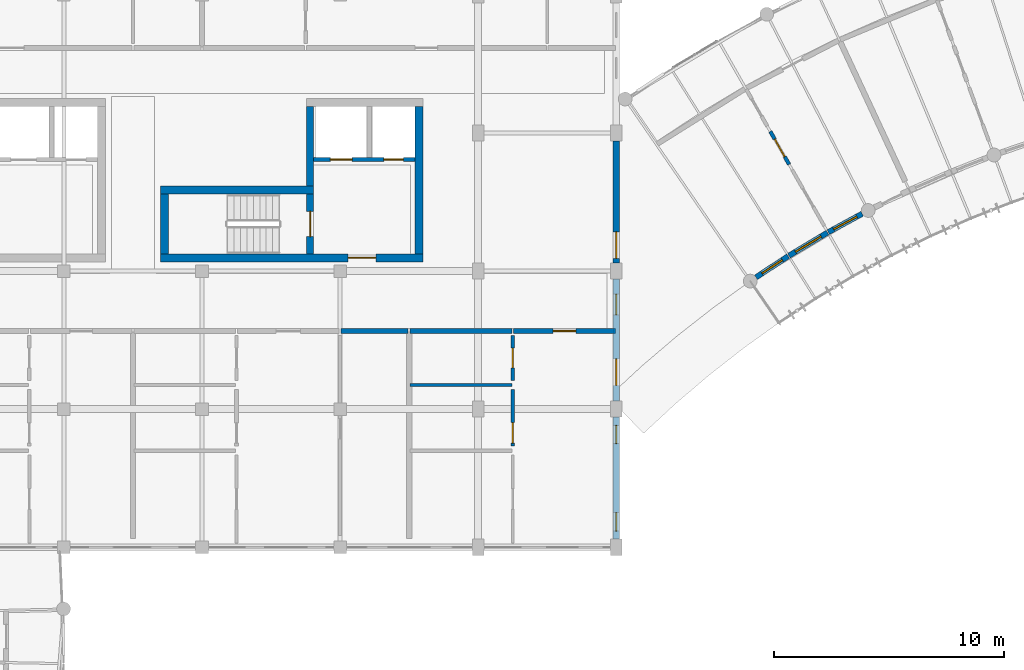
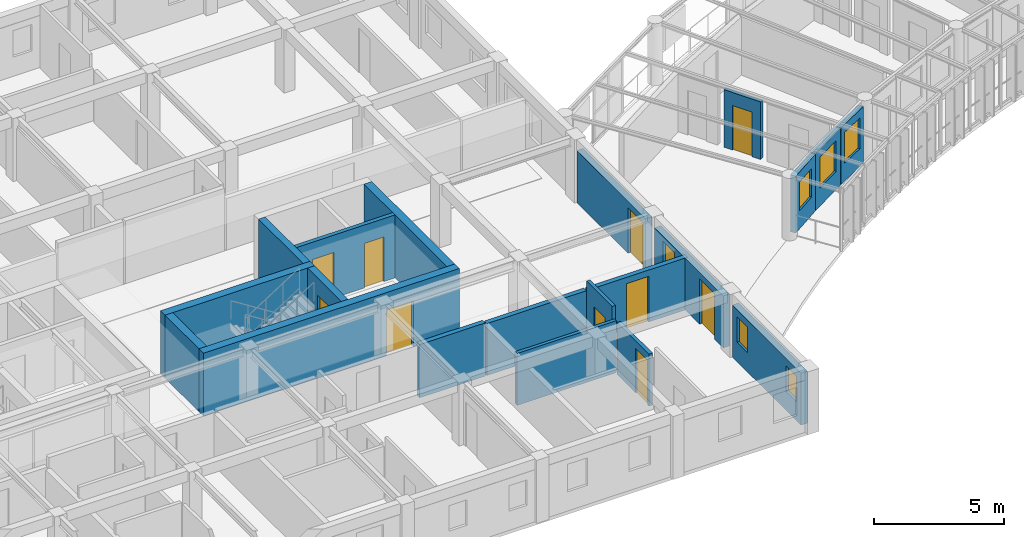
# One storey, part 71 of 101: 20 walls, 10 doors, 6 windows, 16 openings.
"""IFC4 building model written with IfcOpenShell, lengths in metres."""

import ifcopenshell
import ifcopenshell.guid

model = None  # the IFC model being written
_history = None  # IfcOwnerHistory: only IFC2X3 demands one
_inside = {}  # id of a spatial element -> (the spatial element, [elements in it])
_under = {}  # id of a project, library or spatial element -> (it, [spatial elements below it])
_declared = {}  # id of a project -> (the project, [libraries it declares])
_typed = {}  # id of a type object -> (the type object, [elements of that type])
_made_of = {}  # id of a material, layer set ... -> (it, [elements and type objects made of it])


def new_model(schema):
    """Start an empty IFC model of exactly this schema.

    Asked for "IFC4X3", IfcOpenShell would pick the latest addendum, in which some entities
    have other attributes; the version numbers below select the first issue.
    IFC2X3 requires an IfcOwnerHistory on every rooted entity: one is made here for all.
    """
    global model, _history
    if schema == "IFC4X3":
        model = ifcopenshell.file(schema_version=(4, 3, 0, 0))
    else:
        model = ifcopenshell.file(schema=schema)
    _inside.clear()
    _under.clear()
    _declared.clear()
    _typed.clear()
    _made_of.clear()
    _history = None
    if model.schema == "IFC2X3":
        org = make("IfcOrganization", Name="unknown")
        user = make(
            "IfcPersonAndOrganization",
            ThePerson=make("IfcPerson", FamilyName="unknown"),
            TheOrganization=org,
        )
        app = make(
            "IfcApplication",
            ApplicationDeveloper=org,
            Version="unknown",
            ApplicationFullName="unknown",
            ApplicationIdentifier="unknown",
        )
        _history = make(
            "IfcOwnerHistory",
            OwningUser=user,
            OwningApplication=app,
            ChangeAction="ADDED",
            CreationDate=0,
        )
    return model


def make(cls, **values):
    """One entity of the class cls with the attributes given. An attribute that is None is left unset."""
    return model.create_entity(
        cls, **{name: value for name, value in values.items() if value is not None}
    )


def rooted(cls, **values):
    """An entity with a GlobalId (a new one), such as an element, a storey or a relation."""
    return make(cls, GlobalId=ifcopenshell.guid.new(), OwnerHistory=_history, **values)


def si_unit(unit_type, name, prefix=None):
    """IfcSIUnit, for example si_unit("LENGTHUNIT", "METRE", prefix="MILLI")."""
    return make("IfcSIUnit", UnitType=unit_type, Prefix=prefix, Name=name)


def assignment(units):
    """IfcUnitAssignment: the units of a project."""
    return None if units is None else make("IfcUnitAssignment", Units=units)


def point(xyz):
    """IfcCartesianPoint."""
    return None if xyz is None else make("IfcCartesianPoint", Coordinates=xyz)


def direction(xyz):
    """IfcDirection."""
    return None if xyz is None else make("IfcDirection", DirectionRatios=xyz)


def frame(location, z_axis=None, x_axis=None):
    """IfcAxis2Placement3D, a coordinate frame: its origin and axes. An axis left out is left unset."""
    return make(
        "IfcAxis2Placement3D",
        Location=point(location),
        Axis=direction(z_axis),
        RefDirection=direction(x_axis),
    )


def frame_2d(location, x_axis=None):
    """IfcAxis2Placement2D, a coordinate frame in the plane: its origin and x axis."""
    return make(
        "IfcAxis2Placement2D", Location=point(location), RefDirection=direction(x_axis)
    )


def origin():
    """The frame at (0, 0, 0) with its axes left unset."""
    return frame((0.0, 0.0, 0.0))


def place(relative_to, where):
    """IfcLocalPlacement: puts the frame where relative to a parent placement (None: the world)."""
    return make(
        "IfcLocalPlacement", PlacementRelTo=relative_to, RelativePlacement=where
    )


def context(
    kind, dimensions, precision=None, world=None, true_north=None, identifier=None
):
    """IfcGeometricRepresentationContext, for example the 3D "Model" context."""
    return make(
        "IfcGeometricRepresentationContext",
        ContextIdentifier=identifier,
        ContextType=kind,
        CoordinateSpaceDimension=dimensions,
        Precision=precision,
        WorldCoordinateSystem=world,
        TrueNorth=true_north,
    )


def subcontext(parent, identifier, kind, view, scale=None):
    """IfcGeometricRepresentationSubContext, for example "Body" below "Model"."""
    return make(
        "IfcGeometricRepresentationSubContext",
        ContextIdentifier=identifier,
        ContextType=kind,
        ParentContext=parent,
        TargetScale=scale,
        TargetView=view,
    )


def project(units=None, contexts=None):
    """IfcProject with its units and contexts."""
    return rooted(
        "IfcProject",
        Name="project",
        RepresentationContexts=contexts,
        UnitsInContext=assignment(units),
    )


def spatial(cls, under=None, at=None, **own):
    """A site, building, storey or space (cls), placed at a placement, below another one or the project."""
    s = rooted(cls, ObjectPlacement=at, **own)
    if under is not None:
        _under.setdefault(under.id(), (under, []))[1].append(s)
    return s


def profile(cls, at=None, kind="AREA", **sizes):
    """A parametric profile (cls). Its sizes go by their IFC names, for example OverallWidth=200.0."""
    return make(cls, ProfileType=kind, Position=at, **sizes)


def rectangle(**sizes):
    """IfcRectangleProfileDef."""
    return profile("IfcRectangleProfileDef", **sizes)


def extrude(swept, where, along, depth):
    """IfcExtrudedAreaSolid: the profile swept, set in the frame where, extruded along a direction by depth."""
    return make(
        "IfcExtrudedAreaSolid",
        SweptArea=swept,
        Position=where,
        ExtrudedDirection=direction(along),
        Depth=depth,
    )


def shape(context_of_items, identifier, shape_type, items):
    """IfcShapeRepresentation: the items that make up one representation, for example the "Body"."""
    return make(
        "IfcShapeRepresentation",
        ContextOfItems=context_of_items,
        RepresentationIdentifier=identifier,
        RepresentationType=shape_type,
        Items=items,
    )


def material(Name=None, Category=None):
    """IfcMaterial."""
    return make("IfcMaterial", Name=Name, Category=Category)


def layer(
    of_material, thickness, ventilated=None, Name=None, Category=None, Priority=None
):
    """IfcMaterialLayer: one layer of a wall or slab, of a material (None: an air gap)."""
    return make(
        "IfcMaterialLayer",
        Material=of_material,
        LayerThickness=thickness,
        IsVentilated=ventilated,
        Name=Name,
        Category=Category,
        Priority=Priority,
    )


def layer_set(layers, Name=None):
    """IfcMaterialLayerSet."""
    return make("IfcMaterialLayerSet", MaterialLayers=layers, LayerSetName=Name)


def made_of(thing, what):
    """Note that an element or type object is made of a material, layer set ...; save() writes the relation."""
    if what is not None:
        _made_of.setdefault(what.id(), (what, []))[1].append(thing)
    return thing


def type_object(cls, material=None, **own):
    """A type object (cls), such as IfcWallType, which elements share."""
    return made_of(rooted(cls, **own), material)


def element(
    cls,
    number,
    at=None,
    inside=None,
    cuts=None,
    type_object=None,
    material=None,
    context=None,
    identifier="Body",
    shape_type=None,
    held_by="IfcProductDefinitionShape",
    body=None,
    shapes=None,
    **own,
):
    """One element of the class cls, such as IfcWall. Its Tag is "e" and its number.

    at: its placement. inside: the storey or other place that contains it. cuts: it is an
    opening in that element (IfcRelVoidsElement). A single representation is given by context,
    identifier, shape_type and body (its items); several are given by shapes. held_by: the class
    of the entity that holds the representations. save() writes the other relations.
    """
    e = rooted(cls, Tag="e%d" % number, ObjectPlacement=at, **own)
    if body is not None:
        shapes = [shape(context, identifier, shape_type, body)]
    if shapes is not None:
        e.Representation = make(held_by, Representations=shapes)
    if inside is not None:
        _inside.setdefault(inside.id(), (inside, []))[1].append(e)
    if cuts is not None:
        rooted(
            "IfcRelVoidsElement", RelatingBuildingElement=cuts, RelatedOpeningElement=e
        )
    if type_object is not None:
        _typed.setdefault(type_object.id(), (type_object, []))[1].append(e)
    return made_of(e, material)


def fill(opening, filler):
    """IfcRelFillsElement: the door or window that sits in an opening."""
    return rooted(
        "IfcRelFillsElement",
        RelatingOpeningElement=opening,
        RelatedBuildingElement=filler,
    )


def aggregate(whole, parts):
    """IfcRelAggregates: a whole, such as a stair, and the parts it consists of."""
    return rooted("IfcRelAggregates", RelatingObject=whole, RelatedObjects=parts)


def save(model, path):
    """Write the relations noted so far, then the file.

    IfcRelAggregates (storeys below a building ...), IfcRelContainedInSpatialStructure (elements
    in a storey), IfcRelDefinesByType, IfcRelAssociatesMaterial and IfcRelDeclares: one each for
    every whole, place, type object, material and project.
    """
    for whole, parts in _under.values():
        aggregate(whole, parts)
    for where, things in _inside.values():
        rooted(
            "IfcRelContainedInSpatialStructure",
            RelatedElements=things,
            RelatingStructure=where,
        )
    for kind, things in _typed.values():
        rooted("IfcRelDefinesByType", RelatedObjects=things, RelatingType=kind)
    for what, things in _made_of.values():
        rooted("IfcRelAssociatesMaterial", RelatedObjects=things, RelatingMaterial=what)
    for by, libraries in _declared.values():
        rooted("IfcRelDeclares", RelatingContext=by, RelatedDefinitions=libraries)
    model.write(path)


model = new_model("IFC4")

# Units and contexts
model_context = context("Model", 3, precision=1e-05, world=origin(), true_north=direction((0.0, 1.0)))
body_context = subcontext(model_context, "Body", "Model", "MODEL_VIEW")
ifc_project = project(units=[si_unit("LENGTHUNIT", "METRE"), si_unit("AREAUNIT", "SQUARE_METRE"), si_unit("VOLUMEUNIT", "CUBIC_METRE"), si_unit("PLANEANGLEUNIT", "RADIAN"), si_unit("MASSUNIT", "GRAM", prefix="KILO"), si_unit("POWERUNIT", "WATT"), si_unit("THERMODYNAMICTEMPERATUREUNIT", "KELVIN")], contexts=[model_context])

# Site, building, storey
site_placement = place(None, origin())
site = spatial("IfcSite", under=ifc_project, at=site_placement, CompositionType="ELEMENT")
building_placement = place(site_placement, origin())
building = spatial("IfcBuilding", under=site, at=building_placement, Name="Ruvembo Vaulted Housing Court", CompositionType="ELEMENT")
storey_placement = place(building_placement, frame((0.0, 0.0, 17.300048828125)))
storey = spatial("IfcBuildingStorey", under=building, at=storey_placement, Name="L05", CompositionType="ELEMENT", Elevation=17.300048828125)

# Wall, opening, door
ifc_material_1 = material(Name="Concrete C35/45", Category="concrete")
ifc_layer_1 = layer(ifc_material_1, 0.300048828125, Name="Concrete C35/45")
ifc_layer_set_1 = layer_set([ifc_layer_1], Name="Concrete C35/45")
wall_type_1 = type_object("IfcWallType", Name="WL-CORE-300", PredefinedType="SHEAR", material=ifc_layer_set_1)
wall_1_placement = place(storey_placement, frame((70.699951171875, 90.75, 0.0), z_axis=(0.0, 0.0, 1.0), x_axis=(0.0, 1.0, 0.0)))
wall_1 = element("IfcWall", 1, at=wall_1_placement, inside=storey, type_object=wall_type_1, Name="Core B2 L05 Stair-Lobby Shear Wall", PredefinedType="SHEAR", context=body_context, shape_type="SweptSolid", body=[
    extrude(rectangle(XDim=2.60009765625, YDim=0.300048828125, at=frame_2d((1.300048828125, 0.0))), origin(), (0.0, 0.0, 1.0), 2.96484375),
])
opening_1_placement = place(wall_1_placement, frame((0.75, 0.0, 0.0)))
opening_1 = element("IfcOpeningElement", 2, at=opening_1_placement, cuts=wall_1, Name="Opening SD2", PredefinedType="OPENING", context=body_context, shape_type="SweptSolid", body=[
    extrude(rectangle(XDim=1.10009765625, YDim=2.14990234375, at=frame_2d((0.550048828125, 1.074951171875))), frame((0.0, 0.159912109375, 0.0), z_axis=(0.0, -1.0, 0.0), x_axis=(1.0, 0.0, 0.0)), (0.0, 0.0, 1.0), 0.320068359375),
])
ifc_material_2 = material(Name="Galvanised Painted Steel", Category="steel")
door_type_1 = type_object("IfcDoorType", Name="DR-STAIR-1100x2150", OperationType="NOTDEFINED", PredefinedType="DOOR", material=ifc_material_2)
door_1_placement = place(opening_1_placement, origin())
door_1 = element("IfcDoor", 3, at=door_1_placement, inside=storey, type_object=door_type_1, Name="Stair ST-B2 L05 Fire Door", OperationType="SINGLE_SWING_LEFT", OverallHeight=2.14990234375, OverallWidth=1.10009765625, PredefinedType="DOOR", context=body_context, shape_type="SweptSolid", body=[
    extrude(rectangle(XDim=1.10009765625, YDim=2.14990234375, at=frame_2d((0.550048828125, 1.074951171875))), frame((0.0, 0.02490234375, 0.0), z_axis=(0.0, -1.0, 0.0), x_axis=(1.0, 0.0, 0.0)), (0.0, 0.0, 1.0), 0.050048828125),
])
fill(opening_1, door_1)

# Wall
wall_2_placement = place(storey_placement, frame((70.699951171875, 93.699951171875, 0.0), z_axis=(0.0, 0.0, 1.0), x_axis=(0.0, 1.0, 0.0)))
element("IfcWall", 4, at=wall_2_placement, inside=storey, type_object=wall_type_1, Name="Core B2 L05 Upper West Shear Wall", PredefinedType="SHEAR", context=body_context, shape_type="SweptSolid", body=[
    extrude(rectangle(XDim=3.449951171875, YDim=0.300048828125, at=frame_2d((1.72509765625, 0.0))), origin(), (0.0, 0.0, 1.0), 2.96484375),
])

# Wall, opening, door
ifc_layer_2 = layer(ifc_material_1, 0.35009765625, Name="Concrete C35/45")
ifc_layer_set_2 = layer_set([ifc_layer_2], Name="Concrete C35/45")
wall_type_2 = type_object("IfcWallType", Name="WL-CORE-350", PredefinedType="SHEAR", material=ifc_layer_set_2)
wall_3_placement = place(storey_placement, frame((64.199951171875, 90.574951171875, 0.0), z_axis=(0.0, 0.0, 1.0), x_axis=(1.0, 0.0, 0.0)))
wall_3 = element("IfcWall", 5, at=wall_3_placement, inside=storey, type_object=wall_type_2, Name="Core B2 L05 South Shear Wall", PredefinedType="SHEAR", context=body_context, shape_type="SweptSolid", body=[
    extrude(rectangle(XDim=11.400146484375, YDim=0.35009765625, at=frame_2d((5.7001953125, 0.0))), origin(), (0.0, 0.0, 1.0), 2.96484375),
])
opening_2_placement = place(wall_3_placement, frame((8.14990234375, 0.0, 0.0)))
opening_2 = element("IfcOpeningElement", 6, at=opening_2_placement, cuts=wall_3, Name="Opening LD3", PredefinedType="OPENING", context=body_context, shape_type="SweptSolid", body=[
    extrude(rectangle(XDim=1.199951171875, YDim=2.14990234375, at=frame_2d((0.60009765625, 1.074951171875))), frame((0.0, 0.18505859375, 0.0), z_axis=(0.0, -1.0, 0.0), x_axis=(1.0, 0.0, 0.0)), (0.0, 0.0, 1.0), 0.3701171875),
])
door_type_2 = type_object("IfcDoorType", Name="DR-LOB-1200x2150", OperationType="NOTDEFINED", PredefinedType="DOOR", material=ifc_material_2)
door_2_placement = place(opening_2_placement, origin())
door_2 = element("IfcDoor", 7, at=door_2_placement, inside=storey, type_object=door_type_2, Name="Core B2 L05 Lobby Fire Door", OperationType="SINGLE_SWING_RIGHT", OverallHeight=2.14990234375, OverallWidth=1.199951171875, PredefinedType="DOOR", context=body_context, shape_type="SweptSolid", body=[
    extrude(rectangle(XDim=1.199951171875, YDim=2.14990234375, at=frame_2d((0.60009765625, 1.074951171875))), frame((0.0, 0.02490234375, 0.0), z_axis=(0.0, -1.0, 0.0), x_axis=(1.0, 0.0, 0.0)), (0.0, 0.0, 1.0), 0.050048828125),
])
fill(opening_2, door_2)

# Walls
wall_4_placement = place(storey_placement, frame((70.85009765625, 93.52490234375, 0.0), z_axis=(0.0, 0.0, 1.0), x_axis=(-1.0, 0.0, 0.0)))
element("IfcWall", 8, at=wall_4_placement, inside=storey, type_object=wall_type_2, Name="Core B2 L05 Stair North Shear Wall", PredefinedType="SHEAR", context=body_context, shape_type="SweptSolid", body=[
    extrude(rectangle(XDim=6.650146484375, YDim=0.35009765625, at=frame_2d((3.3251953125, 0.0))), origin(), (0.0, 0.0, 1.0), 2.96484375),
])
wall_5_placement = place(storey_placement, frame((64.375, 93.35009765625, 0.0), z_axis=(0.0, 0.0, 1.0), x_axis=(0.0, -1.0, 0.0)))
element("IfcWall", 9, at=wall_5_placement, inside=storey, type_object=wall_type_2, Name="Core B2 L05 Stair West Shear Wall", PredefinedType="SHEAR", context=body_context, shape_type="SweptSolid", body=[
    extrude(rectangle(XDim=2.60009765625, YDim=0.35009765625, at=frame_2d((1.300048828125, 0.0))), origin(), (0.0, 0.0, 1.0), 2.96484375),
])
wall_6_placement = place(storey_placement, frame((75.425048828125, 90.75, 0.0), z_axis=(0.0, 0.0, 1.0), x_axis=(0.0, 1.0, 0.0)))
element("IfcWall", 10, at=wall_6_placement, inside=storey, type_object=wall_type_2, Name="Core B2 L05 East Shear Wall", PredefinedType="SHEAR", context=body_context, shape_type="SweptSolid", body=[
    extrude(rectangle(XDim=6.39990234375, YDim=0.35009765625, at=frame_2d((3.199951171875, 0.0))), origin(), (0.0, 0.0, 1.0), 2.96484375),
])
ifc_material_3 = material(Name="Concrete Blockwork 210", Category="masonry")
ifc_layer_3 = layer(ifc_material_3, 0.2099609375, Name="Concrete Blockwork 210")
ifc_layer_set_3 = layer_set([ifc_layer_3], Name="Concrete Blockwork 210")
wall_type_3 = type_object("IfcWallType", Name="WL-CORR-210", PredefinedType="SOLIDWALL", material=ifc_layer_set_3)
wall_7_placement = place(storey_placement, frame((72.0400390625, 87.39990234375, 0.0), z_axis=(0.0, 0.0, 1.0), x_axis=(1.0, 0.0, 0.0)))
element("IfcWall", 11, at=wall_7_placement, inside=storey, type_object=wall_type_3, Name="L05 Flat B-L05-S3 Corridor Wall 2 WL-INT-L05-01456", PredefinedType="SOLIDWALL", context=body_context, shape_type="SweptSolid", body=[
    extrude(rectangle(XDim=2.919921875, YDim=0.2099609375, at=frame_2d((1.4599609375, 0.0))), origin(), (0.0, 0.0, 1.0), 2.508056640625),
])
wall_8_placement = place(storey_placement, frame((75.0400390625, 87.39990234375, 0.0), z_axis=(0.0, 0.0, 1.0), x_axis=(1.0, 0.0, 0.0)))
element("IfcWall", 12, at=wall_8_placement, inside=storey, type_object=wall_type_3, Name="L05 Flat B-L05-S4 Corridor Wall WL-INT-L05-01458", PredefinedType="SOLIDWALL", context=body_context, shape_type="SweptSolid", body=[
    extrude(rectangle(XDim=4.419921875, YDim=0.2099609375, at=frame_2d((2.2099609375, 0.0))), origin(), (0.0, 0.0, 1.0), 2.447021484375),
])

# Wall, opening, door
wall_9_placement = place(storey_placement, frame((79.5400390625, 87.39990234375, 0.0), z_axis=(0.0, 0.0, 1.0), x_axis=(1.0, 0.0, 0.0)))
wall_9 = element("IfcWall", 13, at=wall_9_placement, inside=storey, type_object=wall_type_3, Name="L05 Flat B-L05-S4 Entrance WL-INT-L05-01459", PredefinedType="SOLIDWALL", context=body_context, shape_type="SweptSolid", body=[
    extrude(rectangle(XDim=4.419921875, YDim=0.2099609375, at=frame_2d((2.2099609375, 0.0))), origin(), (0.0, 0.0, 1.0), 2.447021484375),
])
opening_3_placement = place(wall_9_placement, frame((1.719970703125, 0.0, 0.0)))
opening_3 = element("IfcOpeningElement", 14, at=opening_3_placement, cuts=wall_9, Name="Opening FD2", PredefinedType="OPENING", context=body_context, shape_type="SweptSolid", body=[
    extrude(rectangle(XDim=0.97998046875, YDim=2.14990234375, at=frame_2d((0.489990234375, 1.074951171875))), frame((0.0, 0.114990234375, 0.0), z_axis=(0.0, -1.0, 0.0), x_axis=(1.0, 0.0, 0.0)), (0.0, 0.0, 1.0), 0.22998046875),
])
ifc_material_4 = material(Name="FSC Hardwood and Engineered Timber", Category="wood")
door_type_3 = type_object("IfcDoorType", Name="DR-FLAT-0980x2150", OperationType="NOTDEFINED", PredefinedType="DOOR", material=ifc_material_4)
door_3_placement = place(opening_3_placement, origin())
door_3 = element("IfcDoor", 15, at=door_3_placement, inside=storey, type_object=door_type_3, Name="L05 Flat B-L05-S4 Entrance Door DR-INT-L05-00820", OperationType="SINGLE_SWING_RIGHT", OverallHeight=2.14990234375, OverallWidth=0.97998046875, PredefinedType="DOOR", context=body_context, shape_type="SweptSolid", body=[
    extrude(rectangle(XDim=0.97998046875, YDim=2.14990234375, at=frame_2d((0.489990234375, 1.074951171875))), frame((0.0, 0.02490234375, 0.0), z_axis=(0.0, -1.0, 0.0), x_axis=(1.0, 0.0, 0.0)), (0.0, 0.0, 1.0), 0.050048828125),
])
fill(opening_3, door_3)

# Wall, opening, window
ifc_material_5 = material(Name="Rendered Masonry 235", Category="masonry")
ifc_layer_4 = layer(ifc_material_5, 0.235107421875, Name="Rendered Masonry 235")
ifc_layer_set_4 = layer_set([ifc_layer_4], Name="Rendered Masonry 235")
wall_type_4 = type_object("IfcWallType", Name="WL-EXT-235", PredefinedType="STANDARD", material=ifc_layer_set_4)
wall_10_placement = place(storey_placement, frame((90.072509765625, 89.729248046875, 0.0), z_axis=(0.0, 0.0, 1.0), x_axis=(0.83589302699, 0.548892382375, 0.0)))
wall_10 = element("IfcWall", 16, at=wall_10_placement, inside=storey, type_object=wall_type_4, Name="Scoop SC3 L05 Concave Balcony Wall 0", PredefinedType="STANDARD", context=body_context, shape_type="SweptSolid", body=[
    extrude(rectangle(XDim=1.67236328125, YDim=0.235107421875, at=frame_2d((0.836181640625, 0.0))), origin(), (0.0, 0.0, 1.0), 2.676025390625),
])
opening_4_placement = place(wall_10_placement, frame((0.31103515625, 0.0, 0.85009765625)))
opening_4 = element("IfcOpeningElement", 17, at=opening_4_placement, cuts=wall_10, Name="Opening W09", PredefinedType="OPENING", context=body_context, shape_type="SweptSolid", body=[
    extrude(rectangle(XDim=1.050048828125, YDim=1.35009765625, at=frame_2d((0.52490234375, 0.675048828125))), frame((0.0, 0.12744140625, 0.0), z_axis=(0.0, -1.0, 0.0), x_axis=(1.0, 0.0, 0.0)), (0.0, 0.0, 1.0), 0.255126953125),
])
ifc_material_6 = material(Name="Double Solar-Control Glazing in Aluminium Frame", Category="aluminium")
window_type_1 = type_object("IfcWindowType", Name="WIN-1050x1350", PartitioningType="SINGLE_PANEL", PredefinedType="WINDOW", material=ifc_material_6)
window_1_placement = place(opening_4_placement, origin())
window_1 = element("IfcWindow", 18, at=window_1_placement, inside=storey, type_object=window_type_1, Name="Scoop SC3 L05 Concave Window 0", OverallHeight=1.35009765625, OverallWidth=1.050048828125, PartitioningType="SINGLE_PANEL", PredefinedType="WINDOW", context=body_context, shape_type="SweptSolid", body=[
    extrude(rectangle(XDim=1.050048828125, YDim=1.35009765625, at=frame_2d((0.52490234375, 0.675048828125))), frame((0.0, 0.030029296875, 0.0), z_axis=(0.0, -1.0, 0.0), x_axis=(1.0, 0.0, 0.0)), (0.0, 0.0, 1.0), 0.06005859375),
])
fill(opening_4, window_1)

wall_11_placement = place(storey_placement, frame((91.50439453125, 90.66845703125, 0.0), z_axis=(0.0, 0.0, 1.0), x_axis=(0.85787888411, 0.51385194385, 0.0)))
wall_11 = element("IfcWall", 19, at=wall_11_placement, inside=storey, type_object=wall_type_4, Name="Scoop SC3 L05 Concave Balcony Wall 1", PredefinedType="STANDARD", context=body_context, shape_type="SweptSolid", body=[
    extrude(rectangle(XDim=1.9521484375, YDim=0.235107421875, at=frame_2d((0.97607421875, 0.0))), origin(), (0.0, 0.0, 1.0), 2.676025390625),
])
opening_5_placement = place(wall_11_placement, frame((0.326171875, 0.0, 0.85009765625)))
opening_5 = element("IfcOpeningElement", 20, at=opening_5_placement, cuts=wall_11, Name="Opening W15", PredefinedType="OPENING", context=body_context, shape_type="SweptSolid", body=[
    extrude(rectangle(XDim=1.300048828125, YDim=1.449951171875, at=frame_2d((0.64990234375, 0.72509765625))), frame((0.0, 0.12744140625, 0.0), z_axis=(0.0, -1.0, 0.0), x_axis=(1.0, 0.0, 0.0)), (0.0, 0.0, 1.0), 0.255126953125),
])
window_type_2 = type_object("IfcWindowType", Name="WIN-1300x1450", PartitioningType="SINGLE_PANEL", PredefinedType="WINDOW", material=ifc_material_6)
window_2_placement = place(opening_5_placement, origin())
window_2 = element("IfcWindow", 21, at=window_2_placement, inside=storey, type_object=window_type_2, Name="Scoop SC3 L05 Concave Window 1", OverallHeight=1.449951171875, OverallWidth=1.300048828125, PartitioningType="SINGLE_PANEL", PredefinedType="WINDOW", context=body_context, shape_type="SweptSolid", body=[
    extrude(rectangle(XDim=1.300048828125, YDim=1.449951171875, at=frame_2d((0.64990234375, 0.72509765625))), frame((0.0, 0.030029296875, 0.0), z_axis=(0.0, -1.0, 0.0), x_axis=(1.0, 0.0, 0.0)), (0.0, 0.0, 1.0), 0.06005859375),
])
fill(opening_5, window_2)

wall_12_placement = place(storey_placement, frame((93.214111328125, 91.691650390625, 0.0), z_axis=(0.0, 0.0, 1.0), x_axis=(0.878508628322, 0.477726480284, 0.0)))
wall_12 = element("IfcWall", 22, at=wall_12_placement, inside=storey, type_object=wall_type_4, Name="Scoop SC3 L05 Concave Balcony Wall 2", PredefinedType="STANDARD", context=body_context, shape_type="SweptSolid", body=[
    extrude(rectangle(XDim=1.672119140625, YDim=0.235107421875, at=frame_2d((0.8359375, 0.0))), origin(), (0.0, 0.0, 1.0), 2.676025390625),
])
opening_6_placement = place(wall_12_placement, frame((0.26123046875, 0.0, 0.85009765625)))
opening_6 = element("IfcOpeningElement", 23, at=opening_6_placement, cuts=wall_12, Name="Opening W11", PredefinedType="OPENING", context=body_context, shape_type="SweptSolid", body=[
    extrude(rectangle(XDim=1.14990234375, YDim=1.449951171875, at=frame_2d((0.574951171875, 0.72509765625))), frame((0.0, 0.12744140625, 0.0), z_axis=(0.0, -1.0, 0.0), x_axis=(1.0, 0.0, 0.0)), (0.0, 0.0, 1.0), 0.255126953125),
])
window_type_3 = type_object("IfcWindowType", Name="WIN-1150x1450", PartitioningType="SINGLE_PANEL", PredefinedType="WINDOW", material=ifc_material_6)
window_3_placement = place(opening_6_placement, origin())
window_3 = element("IfcWindow", 24, at=window_3_placement, inside=storey, type_object=window_type_3, Name="Scoop SC3 L05 Concave Window 2", OverallHeight=1.449951171875, OverallWidth=1.14990234375, PartitioningType="SINGLE_PANEL", PredefinedType="WINDOW", context=body_context, shape_type="SweptSolid", body=[
    extrude(rectangle(XDim=1.14990234375, YDim=1.449951171875, at=frame_2d((0.574951171875, 0.72509765625))), frame((0.0, 0.030029296875, 0.0), z_axis=(0.0, -1.0, 0.0), x_axis=(1.0, 0.0, 0.0)), (0.0, 0.0, 1.0), 0.06005859375),
])
fill(opening_6, window_3)

# Wall, openings, windows
ifc_material_7 = material(Name="Rendered Masonry 285", Category="masonry")
ifc_layer_5 = layer(ifc_material_7, 0.284912109375, Name="Rendered Masonry 285")
ifc_layer_set_5 = layer_set([ifc_layer_5], Name="Rendered Masonry 285")
wall_type_5 = type_object("IfcWallType", Name="WL-EXT-285", PredefinedType="STANDARD", material=ifc_layer_set_5)
wall_13_placement = place(storey_placement, frame((84.0, 78.35009765625, 0.0), z_axis=(0.0, 0.0, 1.0), x_axis=(0.0, 1.0, 0.0)))
wall_13 = element("IfcWall", 25, at=wall_13_placement, inside=storey, type_object=wall_type_5, Name="Block B L05 Exterior Wall EAST #1", PredefinedType="STANDARD", context=body_context, shape_type="SweptSolid", body=[
    extrude(rectangle(XDim=5.2998046875, YDim=0.284912109375, at=frame_2d((2.64990234375, 0.0))), origin(), (0.0, 0.0, 1.0), 2.447021484375),
])
opening_7_placement = place(wall_13_placement, frame((0.35009765625, 0.0, 0.89990234375)))
opening_7 = element("IfcOpeningElement", 26, at=opening_7_placement, cuts=wall_13, Name="Opening W02", PredefinedType="OPENING", context=body_context, shape_type="SweptSolid", body=[
    extrude(rectangle(XDim=0.800048828125, YDim=1.199951171875, at=frame_2d((0.39990234375, 0.60009765625))), frame((0.0, 0.15234375, 0.0), z_axis=(0.0, -1.0, 0.0), x_axis=(1.0, 0.0, 0.0)), (0.0, 0.0, 1.0), 0.304931640625),
])
opening_8_placement = place(wall_13_placement, frame((4.14990234375, 0.0, 0.89990234375)))
opening_8 = element("IfcOpeningElement", 27, at=opening_8_placement, cuts=wall_13, Name="Opening W02", PredefinedType="OPENING", context=body_context, shape_type="SweptSolid", body=[
    extrude(rectangle(XDim=0.800048828125, YDim=1.199951171875, at=frame_2d((0.39990234375, 0.60009765625))), frame((0.0, 0.15234375, 0.0), z_axis=(0.0, -1.0, 0.0), x_axis=(1.0, 0.0, 0.0)), (0.0, 0.0, 1.0), 0.304931640625),
])
window_type_4 = type_object("IfcWindowType", Name="WIN-0800x1200", PartitioningType="SINGLE_PANEL", PredefinedType="WINDOW", material=ifc_material_6)
window_4_placement = place(opening_7_placement, origin())
window_4 = element("IfcWindow", 28, at=window_4_placement, inside=storey, type_object=window_type_4, Name="Block B L05 Window #822", OverallHeight=1.199951171875, OverallWidth=0.800048828125, PartitioningType="SINGLE_PANEL", PredefinedType="WINDOW", context=body_context, shape_type="SweptSolid", body=[
    extrude(rectangle(XDim=0.800048828125, YDim=1.199951171875, at=frame_2d((0.39990234375, 0.60009765625))), frame((0.0, 0.030029296875, 0.0), z_axis=(0.0, -1.0, 0.0), x_axis=(1.0, 0.0, 0.0)), (0.0, 0.0, 1.0), 0.06005859375),
])
fill(opening_7, window_4)
window_5_placement = place(opening_8_placement, origin())
window_5 = element("IfcWindow", 29, at=window_5_placement, inside=storey, type_object=window_type_4, Name="Block B L05 Window #823", OverallHeight=1.199951171875, OverallWidth=0.800048828125, PartitioningType="SINGLE_PANEL", PredefinedType="WINDOW", context=body_context, shape_type="SweptSolid", body=[
    extrude(rectangle(XDim=0.800048828125, YDim=1.199951171875, at=frame_2d((0.39990234375, 0.60009765625))), frame((0.0, 0.030029296875, 0.0), z_axis=(0.0, -1.0, 0.0), x_axis=(1.0, 0.0, 0.0)), (0.0, 0.0, 1.0), 0.06005859375),
])
fill(opening_8, window_5)

# Wall, openings, door, window
wall_14_placement = place(storey_placement, frame((84.0, 84.35009765625, 0.0), z_axis=(0.0, 0.0, 1.0), x_axis=(0.0, 1.0, 0.0)))
wall_14 = element("IfcWall", 30, at=wall_14_placement, inside=storey, type_object=wall_type_5, Name="Block B L05 Exterior Wall EAST #2", PredefinedType="STANDARD", context=body_context, shape_type="SweptSolid", body=[
    extrude(rectangle(XDim=5.2998046875, YDim=0.284912109375, at=frame_2d((2.64990234375, 0.0))), origin(), (0.0, 0.0, 1.0), 2.447021484375),
])
opening_9_placement = place(wall_14_placement, frame((0.686767578125, 0.0, 0.0)))
opening_9 = element("IfcOpeningElement", 31, at=opening_9_placement, cuts=wall_14, Name="Opening GD1", PredefinedType="OPENING", context=body_context, shape_type="SweptSolid", body=[
    extrude(rectangle(XDim=1.14990234375, YDim=2.14990234375, at=frame_2d((0.574951171875, 1.074951171875))), frame((0.0, 0.15234375, 0.0), z_axis=(0.0, -1.0, 0.0), x_axis=(1.0, 0.0, 0.0)), (0.0, 0.0, 1.0), 0.304931640625),
])
opening_10_placement = place(wall_14_placement, frame((3.7451171875, 0.0, 0.89990234375)))
opening_10 = element("IfcOpeningElement", 32, at=opening_10_placement, cuts=wall_14, Name="Opening W04", PredefinedType="OPENING", context=body_context, shape_type="SweptSolid", body=[
    extrude(rectangle(XDim=0.89990234375, YDim=1.300048828125, at=frame_2d((0.449951171875, 0.64990234375))), frame((0.0, 0.15234375, 0.0), z_axis=(0.0, -1.0, 0.0), x_axis=(1.0, 0.0, 0.0)), (0.0, 0.0, 1.0), 0.304931640625),
])
ifc_material_8 = material(Name="Thermally Broken Glazed Aluminium", Category="aluminium")
door_type_4 = type_object("IfcDoorType", Name="DR-GAL-1150x2150", OperationType="NOTDEFINED", PredefinedType="DOOR", material=ifc_material_8)
door_4_placement = place(opening_9_placement, frame((1.14990234375, 0.0, 0.0), z_axis=(0.0, 0.0, 1.0), x_axis=(-1.0, 0.0, 0.0)))
door_4 = element("IfcDoor", 33, at=door_4_placement, inside=storey, type_object=door_type_4, Name="Block B L05 Terrace or Gallery Door DR-TER-B-L05-045", OperationType="SINGLE_SWING_RIGHT", OverallHeight=2.14990234375, OverallWidth=1.14990234375, PredefinedType="DOOR", context=body_context, shape_type="SweptSolid", body=[
    extrude(rectangle(XDim=1.14990234375, YDim=2.14990234375, at=frame_2d((0.574951171875, 1.074951171875))), frame((0.0, 0.02490234375, 0.0), z_axis=(0.0, -1.0, 0.0), x_axis=(1.0, 0.0, 0.0)), (0.0, 0.0, 1.0), 0.050048828125),
])
fill(opening_9, door_4)
window_type_5 = type_object("IfcWindowType", Name="WIN-0900x1300", PartitioningType="SINGLE_PANEL", PredefinedType="WINDOW", material=ifc_material_6)
window_6_placement = place(opening_10_placement, origin())
window_6 = element("IfcWindow", 34, at=window_6_placement, inside=storey, type_object=window_type_5, Name="Block B L05 Window #824", OverallHeight=1.300048828125, OverallWidth=0.89990234375, PartitioningType="SINGLE_PANEL", PredefinedType="WINDOW", context=body_context, shape_type="SweptSolid", body=[
    extrude(rectangle(XDim=0.89990234375, YDim=1.300048828125, at=frame_2d((0.449951171875, 0.64990234375))), frame((0.0, 0.030029296875, 0.0), z_axis=(0.0, -1.0, 0.0), x_axis=(1.0, 0.0, 0.0)), (0.0, 0.0, 1.0), 0.06005859375),
])
fill(opening_10, window_6)

# Wall, opening, door
wall_15_placement = place(storey_placement, frame((84.0, 90.35009765625, 0.0), z_axis=(0.0, 0.0, 1.0), x_axis=(0.0, 1.0, 0.0)))
wall_15 = element("IfcWall", 35, at=wall_15_placement, inside=storey, type_object=wall_type_5, Name="Block B L05 Exterior Wall EAST #3", PredefinedType="STANDARD", context=body_context, shape_type="SweptSolid", body=[
    extrude(rectangle(XDim=5.2998046875, YDim=0.284912109375, at=frame_2d((2.64990234375, 0.0))), origin(), (0.0, 0.0, 1.0), 2.447021484375),
])
opening_11_placement = place(wall_15_placement, frame((0.199951171875, 0.0, 0.0)))
opening_11 = element("IfcOpeningElement", 36, at=opening_11_placement, cuts=wall_15, Name="Opening GD1", PredefinedType="OPENING", context=body_context, shape_type="SweptSolid", body=[
    extrude(rectangle(XDim=1.14990234375, YDim=2.14990234375, at=frame_2d((0.574951171875, 1.074951171875))), frame((0.0, 0.15234375, 0.0), z_axis=(0.0, -1.0, 0.0), x_axis=(1.0, 0.0, 0.0)), (0.0, 0.0, 1.0), 0.304931640625),
])
door_5_placement = place(opening_11_placement, frame((1.14990234375, 0.0, 0.0), z_axis=(0.0, 0.0, 1.0), x_axis=(-1.0, 0.0, 0.0)))
door_5 = element("IfcDoor", 37, at=door_5_placement, inside=storey, type_object=door_type_4, Name="Block B L05 Terrace or Gallery Door DR-TER-B-L05-046", OperationType="SINGLE_SWING_LEFT", OverallHeight=2.14990234375, OverallWidth=1.14990234375, PredefinedType="DOOR", context=body_context, shape_type="SweptSolid", body=[
    extrude(rectangle(XDim=1.14990234375, YDim=2.14990234375, at=frame_2d((0.574951171875, 1.074951171875))), frame((0.0, 0.02490234375, 0.0), z_axis=(0.0, -1.0, 0.0), x_axis=(1.0, 0.0, 0.0)), (0.0, 0.0, 1.0), 0.050048828125),
])
fill(opening_11, door_5)

ifc_material_9 = material(Name="Moisture-Resistant Wet Partition 150", Category="gypsum")
ifc_layer_6 = layer(ifc_material_9, 0.14990234375, Name="Moisture-Resistant Wet Partition 150")
ifc_layer_set_6 = layer_set([ifc_layer_6], Name="Moisture-Resistant Wet Partition 150")
wall_type_6 = type_object("IfcWallType", Name="WL-PART-150", PredefinedType="PARTITIONING", material=ifc_layer_set_6)
wall_16_placement = place(storey_placement, frame((79.5, 85.239990234375, 0.0), z_axis=(0.0, 0.0, 1.0), x_axis=(0.0, 1.0, 0.0)))
wall_16 = element("IfcWall", 38, at=wall_16_placement, inside=storey, type_object=wall_type_6, Name="L05 Flat B-L05-S4 Bathroom WL-INT-L05-01462", PredefinedType="PARTITIONING", context=body_context, shape_type="SweptSolid", body=[
    extrude(rectangle(XDim=1.969970703125, YDim=0.14990234375, at=frame_2d((0.98486328125, 0.0))), origin(), (0.0, 0.0, 1.0), 2.96484375),
])
opening_12_placement = place(wall_16_placement, frame((0.56005859375, 0.0, 0.0)))
opening_12 = element("IfcOpeningElement", 39, at=opening_12_placement, cuts=wall_16, Name="Opening ID2", PredefinedType="OPENING", context=body_context, shape_type="SweptSolid", body=[
    extrude(rectangle(XDim=0.85009765625, YDim=2.10009765625, at=frame_2d((0.425048828125, 1.050048828125))), frame((0.0, 0.0849609375, 0.0), z_axis=(0.0, -1.0, 0.0), x_axis=(1.0, 0.0, 0.0)), (0.0, 0.0, 1.0), 0.169921875),
])
door_type_5 = type_object("IfcDoorType", Name="DR-WET-0850x2100", OperationType="NOTDEFINED", PredefinedType="DOOR", material=ifc_material_4)
door_6_placement = place(opening_12_placement, origin())
door_6 = element("IfcDoor", 40, at=door_6_placement, inside=storey, type_object=door_type_5, Name="L05 Flat B-L05-S4 Bathroom Door DR-INT-L05-00823", OperationType="SINGLE_SWING_LEFT", OverallHeight=2.10009765625, OverallWidth=0.85009765625, PredefinedType="DOOR", context=body_context, shape_type="SweptSolid", body=[
    extrude(rectangle(XDim=0.85009765625, YDim=2.10009765625, at=frame_2d((0.425048828125, 1.050048828125))), frame((0.0, 0.02490234375, 0.0), z_axis=(0.0, -1.0, 0.0), x_axis=(1.0, 0.0, 0.0)), (0.0, 0.0, 1.0), 0.050048828125),
])
fill(opening_12, door_6)

# Wall
wall_17_placement = place(storey_placement, frame((75.0400390625, 85.050048828125, 0.0), z_axis=(0.0, 0.0, 1.0), x_axis=(1.0, 0.0, 0.0)))
element("IfcWall", 41, at=wall_17_placement, inside=storey, type_object=wall_type_6, Name="L05 Flat B-L05-S4 Wet Wall 2 WL-INT-L05-01464", PredefinedType="PARTITIONING", context=body_context, shape_type="SweptSolid", body=[
    extrude(rectangle(XDim=4.419921875, YDim=0.14990234375, at=frame_2d((2.2099609375, 0.0))), origin(), (0.0, 0.0, 1.0), 2.447021484375),
])

# Wall, opening, door
ifc_material_10 = material(Name="Acoustic Service Chase Wall 160", Category="gypsum")
ifc_layer_7 = layer(ifc_material_10, 0.159912109375, Name="Acoustic Service Chase Wall 160")
ifc_layer_set_7 = layer_set([ifc_layer_7], Name="Acoustic Service Chase Wall 160")
wall_type_7 = type_object("IfcWallType", Name="WL-PLUMB-160", PredefinedType="PLUMBINGWALL", material=ifc_layer_set_7)
wall_18_placement = place(storey_placement, frame((79.5, 82.389892578125, 0.0), z_axis=(0.0, 0.0, 1.0), x_axis=(0.0, 1.0, 0.0)))
wall_18 = element("IfcWall", 42, at=wall_18_placement, inside=storey, type_object=wall_type_7, Name="L05 Flat B-L05-S4 Kitchen WL-INT-L05-01461", PredefinedType="PLUMBINGWALL", context=body_context, shape_type="SweptSolid", body=[
    extrude(rectangle(XDim=2.47021484375, YDim=0.159912109375, at=frame_2d((1.235107421875, 0.0))), origin(), (0.0, 0.0, 1.0), 2.447021484375),
])
opening_13_placement = place(wall_18_placement, frame((0.1298828125, 0.0, 0.0)))
opening_13 = element("IfcOpeningElement", 43, at=opening_13_placement, cuts=wall_18, Name="Opening ID1", PredefinedType="OPENING", context=body_context, shape_type="SweptSolid", body=[
    extrude(rectangle(XDim=0.89990234375, YDim=2.10009765625, at=frame_2d((0.449951171875, 1.050048828125))), frame((0.0, 0.08984375, 0.0), z_axis=(0.0, -1.0, 0.0), x_axis=(1.0, 0.0, 0.0)), (0.0, 0.0, 1.0), 0.179931640625),
])
door_type_6 = type_object("IfcDoorType", Name="DR-ROOM-0900x2100", OperationType="NOTDEFINED", PredefinedType="DOOR", material=ifc_material_4)
door_7_placement = place(opening_13_placement, origin())
door_7 = element("IfcDoor", 44, at=door_7_placement, inside=storey, type_object=door_type_6, Name="L05 Flat B-L05-S4 Kitchen Door DR-INT-L05-00822", OperationType="SINGLE_SWING_RIGHT", OverallHeight=2.10009765625, OverallWidth=0.89990234375, PredefinedType="DOOR", context=body_context, shape_type="SweptSolid", body=[
    extrude(rectangle(XDim=0.89990234375, YDim=2.10009765625, at=frame_2d((0.449951171875, 1.050048828125))), frame((0.0, 0.02490234375, 0.0), z_axis=(0.0, -1.0, 0.0), x_axis=(1.0, 0.0, 0.0)), (0.0, 0.0, 1.0), 0.050048828125),
])
fill(opening_13, door_7)

wall_19_placement = place(storey_placement, frame((91.51025390625, 94.634521484375, 0.0), z_axis=(0.0, 0.0, 1.0), x_axis=(-0.49583578404, 0.868416302971, 0.0)))
wall_19 = element("IfcWall", 45, at=wall_19_placement, inside=storey, type_object=wall_type_7, Name="L05 Suite SC3-L05-U1 Kitchen WL-INT-L05-01651", PredefinedType="PLUMBINGWALL", context=body_context, shape_type="SweptSolid", body=[
    extrude(rectangle(XDim=1.64794921875, YDim=0.159912109375, at=frame_2d((0.823974609375, 0.0))), origin(), (0.0, 0.0, 1.0), 2.7138671875),
])
opening_14_placement = place(wall_19_placement, frame((0.384033203125, 0.0, 0.0)))
opening_14 = element("IfcOpeningElement", 46, at=opening_14_placement, cuts=wall_19, Name="Opening ID3", PredefinedType="OPENING", context=body_context, shape_type="SweptSolid", body=[
    extrude(rectangle(XDim=0.8798828125, YDim=2.10009765625, at=frame_2d((0.43994140625, 1.050048828125))), frame((0.0, 0.08984375, 0.0), z_axis=(0.0, -1.0, 0.0), x_axis=(1.0, 0.0, 0.0)), (0.0, 0.0, 1.0), 0.179931640625),
])
door_type_7 = type_object("IfcDoorType", Name="DR-ROOM-0880x2100", OperationType="NOTDEFINED", PredefinedType="DOOR", material=ifc_material_4)
door_8_placement = place(opening_14_placement, origin())
door_8 = element("IfcDoor", 47, at=door_8_placement, inside=storey, type_object=door_type_7, Name="L05 Suite SC3-L05-U1 Kitchen Door DR-INT-L05-00933", OperationType="SINGLE_SWING_LEFT", OverallHeight=2.10009765625, OverallWidth=0.8798828125, PredefinedType="DOOR", context=body_context, shape_type="SweptSolid", body=[
    extrude(rectangle(XDim=0.8798828125, YDim=2.10009765625, at=frame_2d((0.43994140625, 1.050048828125))), frame((0.0, 0.02490234375, 0.0), z_axis=(0.0, -1.0, 0.0), x_axis=(1.0, 0.0, 0.0)), (0.0, 0.0, 1.0), 0.050048828125),
])
fill(opening_14, door_8)

# Wall, openings, doors
ifc_material_11 = material(Name="Fire-Rated Masonry Shaft 180", Category="masonry")
ifc_layer_8 = layer(ifc_material_11, 0.179931640625, Name="Fire-Rated Masonry Shaft 180")
ifc_layer_set_8 = layer_set([ifc_layer_8], Name="Fire-Rated Masonry Shaft 180")
wall_type_8 = type_object("IfcWallType", Name="WL-SHAFT-180", PredefinedType="SOLIDWALL", material=ifc_layer_set_8)
wall_20_placement = place(storey_placement, frame((70.85009765625, 94.85009765625, 0.0), z_axis=(0.0, 0.0, 1.0), x_axis=(1.0, 0.0, 0.0)))
wall_20 = element("IfcWall", 48, at=wall_20_placement, inside=storey, type_object=wall_type_8, Name="Core B2 L05 Lift and Riser Front Wall", PredefinedType="SOLIDWALL", context=body_context, shape_type="SweptSolid", body=[
    extrude(rectangle(XDim=4.39990234375, YDim=0.179931640625, at=frame_2d((2.199951171875, 0.0))), origin(), (0.0, 0.0, 1.0), 2.96484375),
])
opening_15_placement = place(wall_20_placement, frame((0.72509765625, 0.0, 0.0)))
opening_15 = element("IfcOpeningElement", 49, at=opening_15_placement, cuts=wall_20, Name="Opening LD-LP-B2-L05", PredefinedType="OPENING", context=body_context, shape_type="SweptSolid", body=[
    extrude(rectangle(XDim=0.949951171875, YDim=2.14990234375, at=frame_2d((0.47509765625, 1.074951171875))), frame((0.0, 0.099853515625, 0.0), z_axis=(0.0, -1.0, 0.0), x_axis=(1.0, 0.0, 0.0)), (0.0, 0.0, 1.0), 0.199951171875),
])
opening_16_placement = place(wall_20_placement, frame((3.050048828125, 0.0, 0.0)))
opening_16 = element("IfcOpeningElement", 50, at=opening_16_placement, cuts=wall_20, Name="Opening RD1", PredefinedType="OPENING", context=body_context, shape_type="SweptSolid", body=[
    extrude(rectangle(XDim=0.85009765625, YDim=2.10009765625, at=frame_2d((0.425048828125, 1.050048828125))), frame((0.0, 0.099853515625, 0.0), z_axis=(0.0, -1.0, 0.0), x_axis=(1.0, 0.0, 0.0)), (0.0, 0.0, 1.0), 0.199951171875),
])
ifc_material_12 = material(Name="Brushed Stainless Steel 304", Category="steel")
door_type_8 = type_object("IfcDoorType", Name="DR-LIFT-0950x2150", OperationType="NOTDEFINED", PredefinedType="DOOR", material=ifc_material_12)
door_9_placement = place(opening_15_placement, origin())
door_9 = element("IfcDoor", 51, at=door_9_placement, inside=storey, type_object=door_type_8, Name="Lift LP-B2 L05 Sliding Landing Door", OperationType="SLIDING_TO_LEFT", OverallHeight=2.14990234375, OverallWidth=0.949951171875, PredefinedType="DOOR", context=body_context, shape_type="SweptSolid", body=[
    extrude(rectangle(XDim=0.949951171875, YDim=2.14990234375, at=frame_2d((0.47509765625, 1.074951171875))), frame((0.0, 0.02490234375, 0.0), z_axis=(0.0, -1.0, 0.0), x_axis=(1.0, 0.0, 0.0)), (0.0, 0.0, 1.0), 0.050048828125),
])
fill(opening_15, door_9)
door_type_9 = type_object("IfcDoorType", Name="DR-RISER-0850x2100", OperationType="NOTDEFINED", PredefinedType="DOOR", material=ifc_material_2)
door_10_placement = place(opening_16_placement, frame((0.85009765625, 0.0, 0.0), z_axis=(0.0, 0.0, 1.0), x_axis=(-1.0, 0.0, 0.0)))
door_10 = element("IfcDoor", 52, at=door_10_placement, inside=storey, type_object=door_type_9, Name="Core B2 L05 Service Riser Door", OperationType="SINGLE_SWING_RIGHT", OverallHeight=2.10009765625, OverallWidth=0.85009765625, PredefinedType="DOOR", context=body_context, shape_type="SweptSolid", body=[
    extrude(rectangle(XDim=0.85009765625, YDim=2.10009765625, at=frame_2d((0.425048828125, 1.050048828125))), frame((0.0, 0.02490234375, 0.0), z_axis=(0.0, -1.0, 0.0), x_axis=(1.0, 0.0, 0.0)), (0.0, 0.0, 1.0), 0.050048828125),
])
fill(opening_16, door_10)

save(model, "model.ifc")
